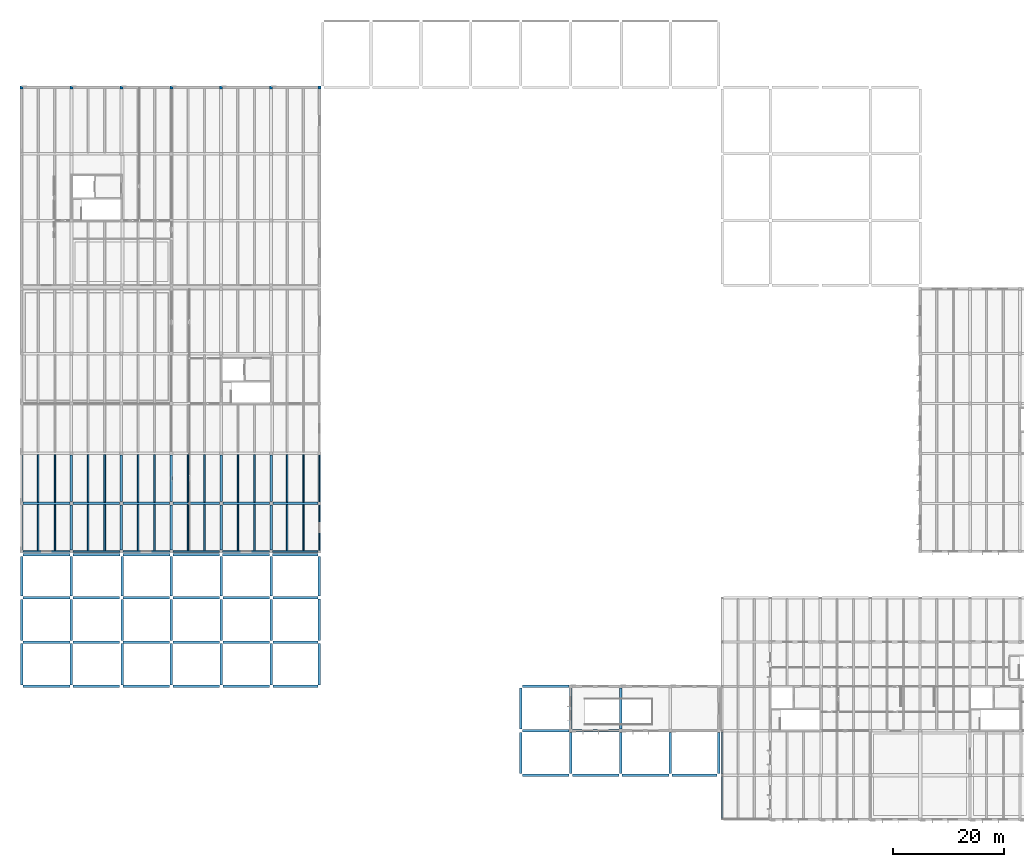
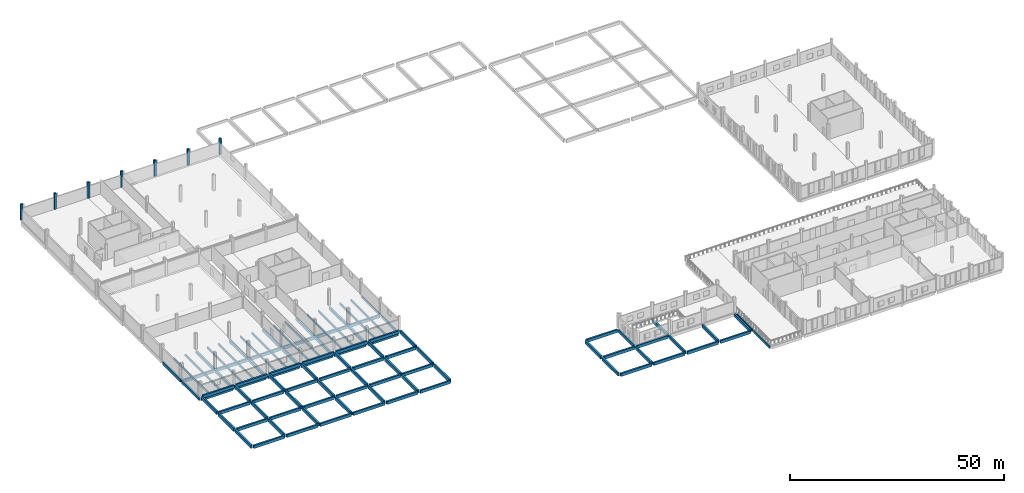
# One storey, part 3 of 25: 112 beams, 7 columns.
"""IFC4 building model written with IfcOpenShell, lengths in metres."""

from ifc_helpers import new_model, si_unit, direction, frame, origin, origin_2d, place, context, subcontext, project, spatial, rectangle, extrude, material, material_profile, profile_set, type_object, element, save


model = new_model("IFC4")

# Units and contexts
model_context = context("Model", 3, precision=1e-05, world=origin(), true_north=direction((0.0, 1.0)))
body_context = subcontext(model_context, "Body", "Model", "MODEL_VIEW")
ifc_project = project(units=[si_unit("LENGTHUNIT", "METRE"), si_unit("AREAUNIT", "SQUARE_METRE"), si_unit("VOLUMEUNIT", "CUBIC_METRE"), si_unit("PLANEANGLEUNIT", "RADIAN"), si_unit("MASSUNIT", "GRAM", prefix="KILO")], contexts=[model_context])

# Site, building, storey
site_placement = place(None, origin())
site = spatial("IfcSite", under=ifc_project, at=site_placement, CompositionType="ELEMENT")
building_placement = place(site_placement, origin())
building = spatial("IfcBuilding", under=site, at=building_placement, Name="Zacnel Wholesale Market", CompositionType="ELEMENT")
storey_placement = place(building_placement, frame((0.0, 0.0, 15.75)))
storey = spatial("IfcBuildingStorey", under=building, at=storey_placement, Name="L04", CompositionType="ELEMENT", Elevation=15.75)

# Columns
ifc_material_1 = material(Name="Precast concrete C45/55", Category="concrete")
ifc_material_profile_1 = material_profile(ifc_material_1, rectangle(XDim=0.550048828125, YDim=0.550048828125, at=origin_2d()), Name="PC 550x550")
ifc_profile_set_1 = profile_set([ifc_material_profile_1], Name="Precast concrete C45/55")
column_type = type_object("IfcColumnType", Name="COL-PC550", PredefinedType="COLUMN", material=ifc_profile_set_1)
for number, where, z_axis, x_axis, name in (
    (1, (18.0, 132.0, 0.0), (0.0, 0.0, 1.0), (1.0, 0.0, 0.0), "Precast column L04-0848"),
    (2, (27.0, 132.0, 0.0), (0.0, 0.0, 1.0), (1.0, 0.0, 0.0), "Precast column L04-0858"),
    (3, (36.0, 132.0, 0.0), (0.0, 0.0, 1.0), (1.0, 0.0, 0.0), "Precast column L04-0868"),
    (4, (45.0, 132.0, 0.0), (0.0, 0.0, 1.0), (1.0, 0.0, 0.0), "Precast column L04-0878"),
    (5, (54.0, 132.0, 0.0), (0.0, 0.0, 1.0), (1.0, 0.0, 0.0), "Precast column L04-0888"),
    (6, (63.0, 132.0, 0.0), (0.0, 0.0, 1.0), (1.0, 0.0, 0.0), "Precast column L04-0898"),
    (7, (71.699951171875, 132.0, 0.0), (0.0, 0.0, 1.0), (1.0, 0.0, 0.0), "Precast column L04-0908"),
):
    element("IfcColumn", number, at=place(storey_placement, frame(where, z_axis=z_axis, x_axis=x_axis)), inside=storey, type_object=column_type, Name=name, PredefinedType="COLUMN", context=body_context, shape_type="SweptSolid", body=[
        extrude(rectangle(XDim=0.550048828125, YDim=0.550048828125, at=origin_2d()), origin(), (0.0, 0.0, 1.0), 4.550048828125),
    ])

# Beams
ifc_material_2 = material(Name="Precast concrete C45/55", Category="concrete")
ifc_material_profile_2 = material_profile(ifc_material_2, rectangle(XDim=0.280029296875, YDim=0.60009765625, at=origin_2d()), Name="DT RIB 280x600")
ifc_profile_set_2 = profile_set([ifc_material_profile_2], Name="Precast concrete C45/55")
beam_type_1 = type_object("IfcBeamType", Name="BM-DT600", PredefinedType="JOIST", material=ifc_profile_set_2)
for number, where, z_axis, x_axis, name in (
    (8, (21.0, 48.449951171875, -0.580078125), (0.0, 1.0, 0.0), (-1.0, 0.0, 0.0), "Precast secondary joist L04-0659"),
    (9, (24.0, 48.449951171875, -0.580078125), (0.0, 1.0, 0.0), (-1.0, 0.0, 0.0), "Precast secondary joist L04-0660"),
    (10, (30.0, 48.449951171875, -0.580078125), (0.0, 1.0, 0.0), (-1.0, 0.0, 0.0), "Precast secondary joist L04-0661"),
    (11, (33.0, 48.449951171875, -0.580078125), (0.0, 1.0, 0.0), (-1.0, 0.0, 0.0), "Precast secondary joist L04-0662"),
    (12, (39.0, 48.449951171875, -0.580078125), (0.0, 1.0, 0.0), (-1.0, 0.0, 0.0), "Precast secondary joist L04-0663"),
    (13, (42.0, 48.449951171875, -0.580078125), (0.0, 1.0, 0.0), (-1.0, 0.0, 0.0), "Precast secondary joist L04-0664"),
    (14, (48.0, 48.449951171875, -0.580078125), (0.0, 1.0, 0.0), (-1.0, 0.0, 0.0), "Precast secondary joist L04-0665"),
    (15, (51.0, 48.449951171875, -0.580078125), (0.0, 1.0, 0.0), (-1.0, 0.0, 0.0), "Precast secondary joist L04-0666"),
    (16, (57.0, 48.449951171875, -0.580078125), (0.0, 1.0, 0.0), (-1.0, 0.0, 0.0), "Precast secondary joist L04-0667"),
    (17, (60.0, 48.449951171875, -0.580078125), (0.0, 1.0, 0.0), (-1.0, 0.0, 0.0), "Precast secondary joist L04-0668"),
    (18, (65.89990234375, 48.449951171875, -0.580078125), (0.0, 1.0, 0.0), (-1.0, 0.0, 0.0), "Precast secondary joist L04-0669"),
    (19, (68.800048828125, 48.449951171875, -0.580078125), (0.0, 1.0, 0.0), (-1.0, 0.0, 0.0), "Precast secondary joist L04-0670"),
):
    element("IfcBeam", number, at=place(storey_placement, frame(where, z_axis=z_axis, x_axis=x_axis)), inside=storey, type_object=beam_type_1, Name=name, PredefinedType="JOIST", context=body_context, shape_type="SweptSolid", body=[
        extrude(rectangle(XDim=0.280029296875, YDim=0.60009765625, at=origin_2d()), origin(), (0.0, 0.0, 1.0), 8.324951171875),
    ])
for number, where, z_axis, x_axis, name in (
    (20, (21.0, 57.22509765625, -0.580078125), (0.0, 1.0, 0.0), (-1.0, 0.0, 0.0), "Precast secondary joist L04-0679"),
    (21, (24.0, 57.22509765625, -0.580078125), (0.0, 1.0, 0.0), (-1.0, 0.0, 0.0), "Precast secondary joist L04-0680"),
    (22, (30.0, 57.22509765625, -0.580078125), (0.0, 1.0, 0.0), (-1.0, 0.0, 0.0), "Precast secondary joist L04-0681"),
    (23, (33.0, 57.22509765625, -0.580078125), (0.0, 1.0, 0.0), (-1.0, 0.0, 0.0), "Precast secondary joist L04-0682"),
    (24, (39.0, 57.22509765625, -0.580078125), (0.0, 1.0, 0.0), (-1.0, 0.0, 0.0), "Precast secondary joist L04-0683"),
    (25, (42.0, 57.22509765625, -0.580078125), (0.0, 1.0, 0.0), (-1.0, 0.0, 0.0), "Precast secondary joist L04-0684"),
    (26, (48.0, 57.22509765625, -0.580078125), (0.0, 1.0, 0.0), (-1.0, 0.0, 0.0), "Precast secondary joist L04-0685"),
    (27, (51.0, 57.22509765625, -0.580078125), (0.0, 1.0, 0.0), (-1.0, 0.0, 0.0), "Precast secondary joist L04-0686"),
    (28, (57.0, 57.22509765625, -0.580078125), (0.0, 1.0, 0.0), (-1.0, 0.0, 0.0), "Precast secondary joist L04-0687"),
    (29, (60.0, 57.22509765625, -0.580078125), (0.0, 1.0, 0.0), (-1.0, 0.0, 0.0), "Precast secondary joist L04-0688"),
    (30, (65.89990234375, 57.22509765625, -0.580078125), (0.0, 1.0, 0.0), (-1.0, 0.0, 0.0), "Precast secondary joist L04-0689"),
    (31, (68.800048828125, 57.22509765625, -0.580078125), (0.0, 1.0, 0.0), (-1.0, 0.0, 0.0), "Precast secondary joist L04-0690"),
):
    element("IfcBeam", number, at=place(storey_placement, frame(where, z_axis=z_axis, x_axis=x_axis)), inside=storey, type_object=beam_type_1, Name=name, PredefinedType="JOIST", context=body_context, shape_type="SweptSolid", body=[
        extrude(rectangle(XDim=0.280029296875, YDim=0.60009765625, at=origin_2d()), origin(), (0.0, 0.0, 1.0), 8.5498046875),
    ])
ifc_material_3 = material(Name="Precast concrete C45/55", Category="concrete")
ifc_material_profile_3 = material_profile(ifc_material_3, rectangle(XDim=0.449951171875, YDim=0.800048828125, at=origin_2d()), Name="PG 450x800")
ifc_profile_set_3 = profile_set([ifc_material_profile_3], Name="Precast concrete C45/55")
beam_type_2 = type_object("IfcBeamType", Name="BM-PG800", PredefinedType="BEAM", material=ifc_profile_set_3)
beam_1_placement = place(storey_placement, frame((18.0, 48.574951171875, -0.679931640625), z_axis=(0.0, 1.0, 0.0), x_axis=(-1.0, 0.0, 0.0)))
element("IfcBeam", 32, at=beam_1_placement, inside=storey, type_object=beam_type_2, Name="Precast girder Y-1178", PredefinedType="BEAM", context=body_context, shape_type="SweptSolid", body=[
    extrude(rectangle(XDim=0.449951171875, YDim=0.800048828125, at=origin_2d()), origin(), (0.0, 0.0, 1.0), 8.125),
])
beam_2_placement = place(storey_placement, frame((18.0, 57.300048828125, -0.679931640625), z_axis=(0.0, 1.0, 0.0), x_axis=(-1.0, 0.0, 0.0)))
element("IfcBeam", 33, at=beam_2_placement, inside=storey, type_object=beam_type_2, Name="Precast girder Y-1179", PredefinedType="BEAM", context=body_context, shape_type="SweptSolid", body=[
    extrude(rectangle(XDim=0.449951171875, YDim=0.800048828125, at=origin_2d()), origin(), (0.0, 0.0, 1.0), 8.39990234375),
])
beam_3_placement = place(storey_placement, frame((27.0, 48.574951171875, -0.679931640625), z_axis=(0.0, 1.0, 0.0), x_axis=(-1.0, 0.0, 0.0)))
element("IfcBeam", 34, at=beam_3_placement, inside=storey, type_object=beam_type_2, Name="Precast girder Y-1189", PredefinedType="BEAM", context=body_context, shape_type="SweptSolid", body=[
    extrude(rectangle(XDim=0.449951171875, YDim=0.800048828125, at=origin_2d()), origin(), (0.0, 0.0, 1.0), 8.125),
])
beam_4_placement = place(storey_placement, frame((27.0, 57.300048828125, -0.679931640625), z_axis=(0.0, 1.0, 0.0), x_axis=(-1.0, 0.0, 0.0)))
element("IfcBeam", 35, at=beam_4_placement, inside=storey, type_object=beam_type_2, Name="Precast girder Y-1190", PredefinedType="BEAM", context=body_context, shape_type="SweptSolid", body=[
    extrude(rectangle(XDim=0.449951171875, YDim=0.800048828125, at=origin_2d()), origin(), (0.0, 0.0, 1.0), 8.39990234375),
])
beam_5_placement = place(storey_placement, frame((36.0, 48.574951171875, -0.679931640625), z_axis=(0.0, 1.0, 0.0), x_axis=(-1.0, 0.0, 0.0)))
element("IfcBeam", 36, at=beam_5_placement, inside=storey, type_object=beam_type_2, Name="Precast girder Y-1200", PredefinedType="BEAM", context=body_context, shape_type="SweptSolid", body=[
    extrude(rectangle(XDim=0.449951171875, YDim=0.800048828125, at=origin_2d()), origin(), (0.0, 0.0, 1.0), 8.125),
])
beam_6_placement = place(storey_placement, frame((36.0, 57.300048828125, -0.679931640625), z_axis=(0.0, 1.0, 0.0), x_axis=(-1.0, 0.0, 0.0)))
element("IfcBeam", 37, at=beam_6_placement, inside=storey, type_object=beam_type_2, Name="Precast girder Y-1201", PredefinedType="BEAM", context=body_context, shape_type="SweptSolid", body=[
    extrude(rectangle(XDim=0.449951171875, YDim=0.800048828125, at=origin_2d()), origin(), (0.0, 0.0, 1.0), 8.39990234375),
])
beam_7_placement = place(storey_placement, frame((45.0, 48.574951171875, -0.679931640625), z_axis=(0.0, 1.0, 0.0), x_axis=(-1.0, 0.0, 0.0)))
element("IfcBeam", 38, at=beam_7_placement, inside=storey, type_object=beam_type_2, Name="Precast girder Y-1211", PredefinedType="BEAM", context=body_context, shape_type="SweptSolid", body=[
    extrude(rectangle(XDim=0.449951171875, YDim=0.800048828125, at=origin_2d()), origin(), (0.0, 0.0, 1.0), 8.125),
])
beam_8_placement = place(storey_placement, frame((45.0, 57.300048828125, -0.679931640625), z_axis=(0.0, 1.0, 0.0), x_axis=(-1.0, 0.0, 0.0)))
element("IfcBeam", 39, at=beam_8_placement, inside=storey, type_object=beam_type_2, Name="Precast girder Y-1212", PredefinedType="BEAM", context=body_context, shape_type="SweptSolid", body=[
    extrude(rectangle(XDim=0.449951171875, YDim=0.800048828125, at=origin_2d()), origin(), (0.0, 0.0, 1.0), 8.39990234375),
])
beam_9_placement = place(storey_placement, frame((54.0, 48.574951171875, -0.679931640625), z_axis=(0.0, 1.0, 0.0), x_axis=(-1.0, 0.0, 0.0)))
element("IfcBeam", 40, at=beam_9_placement, inside=storey, type_object=beam_type_2, Name="Precast girder Y-1222", PredefinedType="BEAM", context=body_context, shape_type="SweptSolid", body=[
    extrude(rectangle(XDim=0.449951171875, YDim=0.800048828125, at=origin_2d()), origin(), (0.0, 0.0, 1.0), 8.125),
])
beam_10_placement = place(storey_placement, frame((54.0, 57.300048828125, -0.679931640625), z_axis=(0.0, 1.0, 0.0), x_axis=(-1.0, 0.0, 0.0)))
element("IfcBeam", 41, at=beam_10_placement, inside=storey, type_object=beam_type_2, Name="Precast girder Y-1223", PredefinedType="BEAM", context=body_context, shape_type="SweptSolid", body=[
    extrude(rectangle(XDim=0.449951171875, YDim=0.800048828125, at=origin_2d()), origin(), (0.0, 0.0, 1.0), 8.39990234375),
])
beam_11_placement = place(storey_placement, frame((63.0, 48.574951171875, -0.679931640625), z_axis=(0.0, 1.0, 0.0), x_axis=(-1.0, 0.0, 0.0)))
element("IfcBeam", 42, at=beam_11_placement, inside=storey, type_object=beam_type_2, Name="Precast girder Y-1233", PredefinedType="BEAM", context=body_context, shape_type="SweptSolid", body=[
    extrude(rectangle(XDim=0.449951171875, YDim=0.800048828125, at=origin_2d()), origin(), (0.0, 0.0, 1.0), 8.125),
])
beam_12_placement = place(storey_placement, frame((63.0, 57.300048828125, -0.679931640625), z_axis=(0.0, 1.0, 0.0), x_axis=(-1.0, 0.0, 0.0)))
element("IfcBeam", 43, at=beam_12_placement, inside=storey, type_object=beam_type_2, Name="Precast girder Y-1234", PredefinedType="BEAM", context=body_context, shape_type="SweptSolid", body=[
    extrude(rectangle(XDim=0.449951171875, YDim=0.800048828125, at=origin_2d()), origin(), (0.0, 0.0, 1.0), 8.39990234375),
])
ifc_material_4 = material(Name="Precast concrete C45/55", Category="concrete")
ifc_material_profile_4 = material_profile(ifc_material_4, rectangle(XDim=0.449951171875, YDim=0.85009765625, at=origin_2d()), Name="PG 450x850")
ifc_profile_set_4 = profile_set([ifc_material_profile_4], Name="Precast concrete C45/55")
beam_type_3 = type_object("IfcBeamType", Name="BM-PG850", PredefinedType="BEAM", material=ifc_profile_set_4)
for number, where, z_axis, x_axis, name in (
    (44, (18.300048828125, 24.0, 0.4951171875), (1.0, 0.0, 0.0), (0.0, 1.0, 0.0), "Precast girder X-1030"),
    (45, (27.300048828125, 24.0, 0.4951171875), (1.0, 0.0, 0.0), (0.0, 1.0, 0.0), "Precast girder X-1031"),
    (46, (36.300048828125, 24.0, 0.4951171875), (1.0, 0.0, 0.0), (0.0, 1.0, 0.0), "Precast girder X-1032"),
    (47, (45.300048828125, 24.0, 0.4951171875), (1.0, 0.0, 0.0), (0.0, 1.0, 0.0), "Precast girder X-1033"),
    (48, (54.300048828125, 24.0, 0.4951171875), (1.0, 0.0, 0.0), (0.0, 1.0, 0.0), "Precast girder X-1034"),
):
    element("IfcBeam", number, at=place(storey_placement, frame(where, z_axis=z_axis, x_axis=x_axis)), inside=storey, type_object=beam_type_3, Name=name, PredefinedType="BEAM", context=body_context, shape_type="SweptSolid", body=[
        extrude(rectangle(XDim=0.449951171875, YDim=0.85009765625, at=origin_2d()), origin(), (0.0, 0.0, 1.0), 8.39990234375),
    ])
beam_13_placement = place(storey_placement, frame((63.300048828125, 24.0, 0.4951171875), z_axis=(1.0, 0.0, 0.0), x_axis=(0.0, 1.0, 0.0)))
element("IfcBeam", 49, at=beam_13_placement, inside=storey, type_object=beam_type_3, Name="Precast girder X-1035", PredefinedType="BEAM", context=body_context, shape_type="SweptSolid", body=[
    extrude(rectangle(XDim=0.449951171875, YDim=0.85009765625, at=origin_2d()), origin(), (0.0, 0.0, 1.0), 8.125),
])
for number, where, z_axis, x_axis, name in (
    (50, (18.300048828125, 32.0, 0.4951171875), (1.0, 0.0, 0.0), (0.0, 1.0, 0.0), "Precast girder X-1043"),
    (51, (27.300048828125, 32.0, 0.4951171875), (1.0, 0.0, 0.0), (0.0, 1.0, 0.0), "Precast girder X-1044"),
    (52, (36.300048828125, 32.0, 0.4951171875), (1.0, 0.0, 0.0), (0.0, 1.0, 0.0), "Precast girder X-1045"),
    (53, (45.300048828125, 32.0, 0.4951171875), (1.0, 0.0, 0.0), (0.0, 1.0, 0.0), "Precast girder X-1046"),
    (54, (54.300048828125, 32.0, 0.4951171875), (1.0, 0.0, 0.0), (0.0, 1.0, 0.0), "Precast girder X-1047"),
):
    element("IfcBeam", number, at=place(storey_placement, frame(where, z_axis=z_axis, x_axis=x_axis)), inside=storey, type_object=beam_type_3, Name=name, PredefinedType="BEAM", context=body_context, shape_type="SweptSolid", body=[
        extrude(rectangle(XDim=0.449951171875, YDim=0.85009765625, at=origin_2d()), origin(), (0.0, 0.0, 1.0), 8.39990234375),
    ])
beam_14_placement = place(storey_placement, frame((63.300048828125, 32.0, 0.4951171875), z_axis=(1.0, 0.0, 0.0), x_axis=(0.0, 1.0, 0.0)))
element("IfcBeam", 55, at=beam_14_placement, inside=storey, type_object=beam_type_3, Name="Precast girder X-1048", PredefinedType="BEAM", context=body_context, shape_type="SweptSolid", body=[
    extrude(rectangle(XDim=0.449951171875, YDim=0.85009765625, at=origin_2d()), origin(), (0.0, 0.0, 1.0), 8.125),
])
for number, where, z_axis, x_axis, name in (
    (56, (18.300048828125, 40.0, 0.4951171875), (1.0, 0.0, 0.0), (0.0, 1.0, 0.0), "Precast girder X-1056"),
    (57, (27.300048828125, 40.0, 0.4951171875), (1.0, 0.0, 0.0), (0.0, 1.0, 0.0), "Precast girder X-1057"),
    (58, (36.300048828125, 40.0, 0.4951171875), (1.0, 0.0, 0.0), (0.0, 1.0, 0.0), "Precast girder X-1058"),
    (59, (45.300048828125, 40.0, 0.4951171875), (1.0, 0.0, 0.0), (0.0, 1.0, 0.0), "Precast girder X-1059"),
    (60, (54.300048828125, 40.0, 0.4951171875), (1.0, 0.0, 0.0), (0.0, 1.0, 0.0), "Precast girder X-1060"),
):
    element("IfcBeam", number, at=place(storey_placement, frame(where, z_axis=z_axis, x_axis=x_axis)), inside=storey, type_object=beam_type_3, Name=name, PredefinedType="BEAM", context=body_context, shape_type="SweptSolid", body=[
        extrude(rectangle(XDim=0.449951171875, YDim=0.85009765625, at=origin_2d()), origin(), (0.0, 0.0, 1.0), 8.39990234375),
    ])
beam_15_placement = place(storey_placement, frame((63.300048828125, 40.0, 0.4951171875), z_axis=(1.0, 0.0, 0.0), x_axis=(0.0, 1.0, 0.0)))
element("IfcBeam", 61, at=beam_15_placement, inside=storey, type_object=beam_type_3, Name="Precast girder X-1061", PredefinedType="BEAM", context=body_context, shape_type="SweptSolid", body=[
    extrude(rectangle(XDim=0.449951171875, YDim=0.85009765625, at=origin_2d()), origin(), (0.0, 0.0, 1.0), 8.125),
])
for number, where, z_axis, x_axis, name in (
    (62, (18.27490234375, 47.699951171875, 0.4951171875), (1.0, 0.0, 0.0), (0.0, 1.0, 0.0), "Precast girder X-1069"),
    (63, (27.27490234375, 47.699951171875, 0.4951171875), (1.0, 0.0, 0.0), (0.0, 1.0, 0.0), "Precast girder X-1070"),
    (64, (36.27490234375, 47.699951171875, 0.4951171875), (1.0, 0.0, 0.0), (0.0, 1.0, 0.0), "Precast girder X-1071"),
    (65, (45.27490234375, 47.699951171875, 0.4951171875), (1.0, 0.0, 0.0), (0.0, 1.0, 0.0), "Precast girder X-1072"),
    (66, (54.27490234375, 47.699951171875, 0.4951171875), (1.0, 0.0, 0.0), (0.0, 1.0, 0.0), "Precast girder X-1073"),
):
    element("IfcBeam", number, at=place(storey_placement, frame(where, z_axis=z_axis, x_axis=x_axis)), inside=storey, type_object=beam_type_3, Name=name, PredefinedType="BEAM", context=body_context, shape_type="SweptSolid", body=[
        extrude(rectangle(XDim=0.449951171875, YDim=0.85009765625, at=origin_2d()), origin(), (0.0, 0.0, 1.0), 8.4501953125),
    ])
beam_16_placement = place(storey_placement, frame((63.27490234375, 47.699951171875, 0.4951171875), z_axis=(1.0, 0.0, 0.0), x_axis=(0.0, 1.0, 0.0)))
element("IfcBeam", 67, at=beam_16_placement, inside=storey, type_object=beam_type_3, Name="Precast girder X-1074", PredefinedType="BEAM", context=body_context, shape_type="SweptSolid", body=[
    extrude(rectangle(XDim=0.449951171875, YDim=0.85009765625, at=origin_2d()), origin(), (0.0, 0.0, 1.0), 8.150146484375),
])
for number, where, z_axis, x_axis, name in (
    (68, (18.300048828125, 57.0, -0.705078125), (1.0, 0.0, 0.0), (0.0, 1.0, 0.0), "Precast girder X-1085"),
    (69, (27.300048828125, 57.0, -0.705078125), (1.0, 0.0, 0.0), (0.0, 1.0, 0.0), "Precast girder X-1086"),
    (70, (36.300048828125, 57.0, -0.705078125), (1.0, 0.0, 0.0), (0.0, 1.0, 0.0), "Precast girder X-1087"),
    (71, (45.300048828125, 57.0, -0.705078125), (1.0, 0.0, 0.0), (0.0, 1.0, 0.0), "Precast girder X-1088"),
    (72, (54.300048828125, 57.0, -0.705078125), (1.0, 0.0, 0.0), (0.0, 1.0, 0.0), "Precast girder X-1089"),
):
    element("IfcBeam", number, at=place(storey_placement, frame(where, z_axis=z_axis, x_axis=x_axis)), inside=storey, type_object=beam_type_3, Name=name, PredefinedType="BEAM", context=body_context, shape_type="SweptSolid", body=[
        extrude(rectangle(XDim=0.449951171875, YDim=0.85009765625, at=origin_2d()), origin(), (0.0, 0.0, 1.0), 8.39990234375),
    ])
beam_17_placement = place(storey_placement, frame((63.300048828125, 57.0, -0.705078125), z_axis=(1.0, 0.0, 0.0), x_axis=(0.0, 1.0, 0.0)))
element("IfcBeam", 73, at=beam_17_placement, inside=storey, type_object=beam_type_3, Name="Precast girder X-1090", PredefinedType="BEAM", context=body_context, shape_type="SweptSolid", body=[
    extrude(rectangle(XDim=0.449951171875, YDim=0.85009765625, at=origin_2d()), origin(), (0.0, 0.0, 1.0), 8.125),
])
for number, where, z_axis, x_axis, name in (
    (74, (108.300048828125, 8.0, -0.72509765625), (1.0, 0.0, 0.0), (0.0, 1.0, 0.0), "Precast wing girder X V4EL3-001"),
    (75, (117.300048828125, 8.0, -0.72509765625), (1.0, 0.0, 0.0), (0.0, 1.0, 0.0), "Precast wing girder X V4EL3-002"),
    (76, (126.300048828125, 8.0, -0.72509765625), (1.0, 0.0, 0.0), (0.0, 1.0, 0.0), "Precast wing girder X V4EL3-003"),
):
    element("IfcBeam", number, at=place(storey_placement, frame(where, z_axis=z_axis, x_axis=x_axis)), inside=storey, type_object=beam_type_3, Name=name, PredefinedType="BEAM", context=body_context, shape_type="SweptSolid", body=[
        extrude(rectangle(XDim=0.449951171875, YDim=0.85009765625, at=origin_2d()), origin(), (0.0, 0.0, 1.0), 8.39990234375),
    ])
beam_18_placement = place(storey_placement, frame((135.300048828125, 8.0, -0.72509765625), z_axis=(1.0, 0.0, 0.0), x_axis=(0.0, 1.0, 0.0)))
element("IfcBeam", 77, at=beam_18_placement, inside=storey, type_object=beam_type_3, Name="Precast wing girder X V4EL3-004", PredefinedType="BEAM", context=body_context, shape_type="SweptSolid", body=[
    extrude(rectangle(XDim=0.449951171875, YDim=0.85009765625, at=origin_2d()), origin(), (0.0, 0.0, 1.0), 8.099853515625),
])
for number, where, z_axis, x_axis, name in (
    (78, (108.300048828125, 16.0, -0.72509765625), (1.0, 0.0, 0.0), (0.0, 1.0, 0.0), "Precast wing girder X V4EL3-005"),
    (79, (117.300048828125, 16.0, -0.72509765625), (1.0, 0.0, 0.0), (0.0, 1.0, 0.0), "Precast wing girder X V4EL3-006"),
    (80, (108.300048828125, 24.0, -0.72509765625), (1.0, 0.0, 0.0), (0.0, 1.0, 0.0), "Precast wing girder X V4EL3-009"),
):
    element("IfcBeam", number, at=place(storey_placement, frame(where, z_axis=z_axis, x_axis=x_axis)), inside=storey, type_object=beam_type_3, Name=name, PredefinedType="BEAM", context=body_context, shape_type="SweptSolid", body=[
        extrude(rectangle(XDim=0.449951171875, YDim=0.85009765625, at=origin_2d()), origin(), (0.0, 0.0, 1.0), 8.39990234375),
    ])
for number, where, z_axis, x_axis, name in (
    (81, (108.0, 8.300048828125, -0.72509765625), (0.0, 1.0, 0.0), (-1.0, 0.0, 0.0), "Precast wing girder Y V4EL3-013"),
    (82, (108.0, 16.300048828125, -0.72509765625), (0.0, 1.0, 0.0), (-1.0, 0.0, 0.0), "Precast wing girder Y V4EL3-014"),
    (83, (117.0, 8.300048828125, -0.72509765625), (0.0, 1.0, 0.0), (-1.0, 0.0, 0.0), "Precast wing girder Y V4EL3-015"),
    (84, (117.0, 16.300048828125, -0.72509765625), (0.0, 1.0, 0.0), (-1.0, 0.0, 0.0), "Precast wing girder Y V4EL3-016"),
    (85, (126.0, 8.300048828125, -0.72509765625), (0.0, 1.0, 0.0), (-1.0, 0.0, 0.0), "Precast wing girder Y V4EL3-017"),
    (86, (126.0, 16.300048828125, -0.72509765625), (0.0, 1.0, 0.0), (-1.0, 0.0, 0.0), "Precast wing girder Y V4EL3-018"),
    (87, (135.0, 8.300048828125, -0.72509765625), (0.0, 1.0, 0.0), (-1.0, 0.0, 0.0), "Precast wing girder Y V4EL3-019"),
    (88, (143.699951171875, 8.300048828125, -0.72509765625), (0.0, 1.0, 0.0), (-1.0, 0.0, 0.0), "Precast wing girder Y V4EL3-021"),
):
    element("IfcBeam", number, at=place(storey_placement, frame(where, z_axis=z_axis, x_axis=x_axis)), inside=storey, type_object=beam_type_3, Name=name, PredefinedType="BEAM", context=body_context, shape_type="SweptSolid", body=[
        extrude(rectangle(XDim=0.449951171875, YDim=0.85009765625, at=origin_2d()), origin(), (0.0, 0.0, 1.0), 7.39990234375),
    ])
ifc_material_5 = material(Name="Precast concrete C45/55", Category="concrete")
ifc_material_profile_5 = material_profile(ifc_material_5, rectangle(XDim=0.449951171875, YDim=0.949951171875, at=origin_2d()), Name="PG 450x950")
ifc_profile_set_5 = profile_set([ifc_material_profile_5], Name="Precast concrete C45/55")
beam_type_4 = type_object("IfcBeamType", Name="BM-PG950", PredefinedType="BEAM", material=ifc_profile_set_5)
for number, where, z_axis, x_axis, name in (
    (89, (18.0, 24.300048828125, 0.445068359375), (0.0, 1.0, 0.0), (-1.0, 0.0, 0.0), "Precast girder Y-1175"),
    (90, (18.0, 32.300048828125, 0.445068359375), (0.0, 1.0, 0.0), (-1.0, 0.0, 0.0), "Precast girder Y-1176"),
):
    element("IfcBeam", number, at=place(storey_placement, frame(where, z_axis=z_axis, x_axis=x_axis)), inside=storey, type_object=beam_type_4, Name=name, PredefinedType="BEAM", context=body_context, shape_type="SweptSolid", body=[
        extrude(rectangle(XDim=0.449951171875, YDim=0.949951171875, at=origin_2d()), origin(), (0.0, 0.0, 1.0), 7.39990234375),
    ])
beam_19_placement = place(storey_placement, frame((18.0, 40.300048828125, 0.445068359375), z_axis=(0.0, 1.0, 0.0), x_axis=(-1.0, 0.0, 0.0)))
element("IfcBeam", 91, at=beam_19_placement, inside=storey, type_object=beam_type_4, Name="Precast girder Y-1177", PredefinedType="BEAM", context=body_context, shape_type="SweptSolid", body=[
    extrude(rectangle(XDim=0.449951171875, YDim=0.949951171875, at=origin_2d()), origin(), (0.0, 0.0, 1.0), 7.125),
])
for number, where, z_axis, x_axis, name in (
    (92, (27.0, 24.300048828125, 0.445068359375), (0.0, 1.0, 0.0), (-1.0, 0.0, 0.0), "Precast girder Y-1186"),
    (93, (27.0, 32.300048828125, 0.445068359375), (0.0, 1.0, 0.0), (-1.0, 0.0, 0.0), "Precast girder Y-1187"),
):
    element("IfcBeam", number, at=place(storey_placement, frame(where, z_axis=z_axis, x_axis=x_axis)), inside=storey, type_object=beam_type_4, Name=name, PredefinedType="BEAM", context=body_context, shape_type="SweptSolid", body=[
        extrude(rectangle(XDim=0.449951171875, YDim=0.949951171875, at=origin_2d()), origin(), (0.0, 0.0, 1.0), 7.39990234375),
    ])
beam_20_placement = place(storey_placement, frame((27.0, 40.300048828125, 0.445068359375), z_axis=(0.0, 1.0, 0.0), x_axis=(-1.0, 0.0, 0.0)))
element("IfcBeam", 94, at=beam_20_placement, inside=storey, type_object=beam_type_4, Name="Precast girder Y-1188", PredefinedType="BEAM", context=body_context, shape_type="SweptSolid", body=[
    extrude(rectangle(XDim=0.449951171875, YDim=0.949951171875, at=origin_2d()), origin(), (0.0, 0.0, 1.0), 7.125),
])
for number, where, z_axis, x_axis, name in (
    (95, (36.179931640625, 24.300048828125, 0.445068359375), (0.0, 1.0, 0.0), (-1.0, 0.0, 0.0), "Precast girder Y-1197"),
    (96, (36.179931640625, 32.300048828125, 0.445068359375), (0.0, 1.0, 0.0), (-1.0, 0.0, 0.0), "Precast girder Y-1198"),
):
    element("IfcBeam", number, at=place(storey_placement, frame(where, z_axis=z_axis, x_axis=x_axis)), inside=storey, type_object=beam_type_4, Name=name, PredefinedType="BEAM", context=body_context, shape_type="SweptSolid", body=[
        extrude(rectangle(XDim=0.449951171875, YDim=0.949951171875, at=origin_2d()), origin(), (0.0, 0.0, 1.0), 7.39990234375),
    ])
beam_21_placement = place(storey_placement, frame((36.179931640625, 40.300048828125, 0.445068359375), z_axis=(0.0, 1.0, 0.0), x_axis=(-1.0, 0.0, 0.0)))
element("IfcBeam", 97, at=beam_21_placement, inside=storey, type_object=beam_type_4, Name="Precast girder Y-1199", PredefinedType="BEAM", context=body_context, shape_type="SweptSolid", body=[
    extrude(rectangle(XDim=0.449951171875, YDim=0.949951171875, at=origin_2d()), origin(), (0.0, 0.0, 1.0), 7.125),
])
for number, where, z_axis, x_axis, name in (
    (98, (45.0, 24.300048828125, 0.445068359375), (0.0, 1.0, 0.0), (-1.0, 0.0, 0.0), "Precast girder Y-1208"),
    (99, (45.0, 32.300048828125, 0.445068359375), (0.0, 1.0, 0.0), (-1.0, 0.0, 0.0), "Precast girder Y-1209"),
):
    element("IfcBeam", number, at=place(storey_placement, frame(where, z_axis=z_axis, x_axis=x_axis)), inside=storey, type_object=beam_type_4, Name=name, PredefinedType="BEAM", context=body_context, shape_type="SweptSolid", body=[
        extrude(rectangle(XDim=0.449951171875, YDim=0.949951171875, at=origin_2d()), origin(), (0.0, 0.0, 1.0), 7.39990234375),
    ])
beam_22_placement = place(storey_placement, frame((45.0, 40.300048828125, 0.445068359375), z_axis=(0.0, 1.0, 0.0), x_axis=(-1.0, 0.0, 0.0)))
element("IfcBeam", 100, at=beam_22_placement, inside=storey, type_object=beam_type_4, Name="Precast girder Y-1210", PredefinedType="BEAM", context=body_context, shape_type="SweptSolid", body=[
    extrude(rectangle(XDim=0.449951171875, YDim=0.949951171875, at=origin_2d()), origin(), (0.0, 0.0, 1.0), 7.125),
])
for number, where, z_axis, x_axis, name in (
    (101, (54.0, 24.300048828125, 0.445068359375), (0.0, 1.0, 0.0), (-1.0, 0.0, 0.0), "Precast girder Y-1219"),
    (102, (54.0, 32.300048828125, 0.445068359375), (0.0, 1.0, 0.0), (-1.0, 0.0, 0.0), "Precast girder Y-1220"),
):
    element("IfcBeam", number, at=place(storey_placement, frame(where, z_axis=z_axis, x_axis=x_axis)), inside=storey, type_object=beam_type_4, Name=name, PredefinedType="BEAM", context=body_context, shape_type="SweptSolid", body=[
        extrude(rectangle(XDim=0.449951171875, YDim=0.949951171875, at=origin_2d()), origin(), (0.0, 0.0, 1.0), 7.39990234375),
    ])
beam_23_placement = place(storey_placement, frame((54.0, 40.300048828125, 0.445068359375), z_axis=(0.0, 1.0, 0.0), x_axis=(-1.0, 0.0, 0.0)))
element("IfcBeam", 103, at=beam_23_placement, inside=storey, type_object=beam_type_4, Name="Precast girder Y-1221", PredefinedType="BEAM", context=body_context, shape_type="SweptSolid", body=[
    extrude(rectangle(XDim=0.449951171875, YDim=0.949951171875, at=origin_2d()), origin(), (0.0, 0.0, 1.0), 7.125),
])
for number, where, z_axis, x_axis, name in (
    (104, (63.0, 24.300048828125, 0.445068359375), (0.0, 1.0, 0.0), (-1.0, 0.0, 0.0), "Precast girder Y-1230"),
    (105, (63.0, 32.300048828125, 0.445068359375), (0.0, 1.0, 0.0), (-1.0, 0.0, 0.0), "Precast girder Y-1231"),
):
    element("IfcBeam", number, at=place(storey_placement, frame(where, z_axis=z_axis, x_axis=x_axis)), inside=storey, type_object=beam_type_4, Name=name, PredefinedType="BEAM", context=body_context, shape_type="SweptSolid", body=[
        extrude(rectangle(XDim=0.449951171875, YDim=0.949951171875, at=origin_2d()), origin(), (0.0, 0.0, 1.0), 7.39990234375),
    ])
beam_24_placement = place(storey_placement, frame((63.0, 40.300048828125, 0.445068359375), z_axis=(0.0, 1.0, 0.0), x_axis=(-1.0, 0.0, 0.0)))
element("IfcBeam", 106, at=beam_24_placement, inside=storey, type_object=beam_type_4, Name="Precast girder Y-1232", PredefinedType="BEAM", context=body_context, shape_type="SweptSolid", body=[
    extrude(rectangle(XDim=0.449951171875, YDim=0.949951171875, at=origin_2d()), origin(), (0.0, 0.0, 1.0), 7.125),
])
for number, where, z_axis, x_axis, name in (
    (107, (71.699951171875, 24.27490234375, 0.445068359375), (0.0, 1.0, 0.0), (-1.0, 0.0, 0.0), "Precast girder Y-1241"),
    (108, (71.699951171875, 32.27490234375, 0.445068359375), (0.0, 1.0, 0.0), (-1.0, 0.0, 0.0), "Precast girder Y-1242"),
):
    element("IfcBeam", number, at=place(storey_placement, frame(where, z_axis=z_axis, x_axis=x_axis)), inside=storey, type_object=beam_type_4, Name=name, PredefinedType="BEAM", context=body_context, shape_type="SweptSolid", body=[
        extrude(rectangle(XDim=0.449951171875, YDim=0.949951171875, at=origin_2d()), origin(), (0.0, 0.0, 1.0), 7.4501953125),
    ])
beam_25_placement = place(storey_placement, frame((71.699951171875, 40.27490234375, 0.445068359375), z_axis=(0.0, 1.0, 0.0), x_axis=(-1.0, 0.0, 0.0)))
element("IfcBeam", 109, at=beam_25_placement, inside=storey, type_object=beam_type_4, Name="Precast girder Y-1243", PredefinedType="BEAM", context=body_context, shape_type="SweptSolid", body=[
    extrude(rectangle(XDim=0.449951171875, YDim=0.949951171875, at=origin_2d()), origin(), (0.0, 0.0, 1.0), 7.150146484375),
])
ifc_material_6 = material(Name="Precast concrete C45/55", Category="concrete")
ifc_material_profile_6 = material_profile(ifc_material_6, rectangle(XDim=0.280029296875, YDim=0.679931640625, at=origin_2d()), Name="SP 280x680")
ifc_profile_set_6 = profile_set([ifc_material_profile_6], Name="Precast concrete C45/55")
beam_type_5 = type_object("IfcBeamType", Name="BM-SP680", PredefinedType="SPANDREL", material=ifc_profile_set_6)
beam_26_placement = place(storey_placement, frame((71.699951171875, 48.574951171875, -0.6201171875), z_axis=(0.0, 1.0, 0.0), x_axis=(-1.0, 0.0, 0.0)))
element("IfcBeam", 110, at=beam_26_placement, inside=storey, type_object=beam_type_5, Name="Precast girder Y-1244", PredefinedType="SPANDREL", context=body_context, shape_type="SweptSolid", body=[
    extrude(rectangle(XDim=0.280029296875, YDim=0.679931640625, at=origin_2d()), origin(), (0.0, 0.0, 1.0), 8.150146484375),
])
beam_27_placement = place(storey_placement, frame((71.699951171875, 57.27490234375, -0.6201171875), z_axis=(0.0, 1.0, 0.0), x_axis=(-1.0, 0.0, 0.0)))
element("IfcBeam", 111, at=beam_27_placement, inside=storey, type_object=beam_type_5, Name="Precast girder Y-1245", PredefinedType="SPANDREL", context=body_context, shape_type="SweptSolid", body=[
    extrude(rectangle(XDim=0.280029296875, YDim=0.679931640625, at=origin_2d()), origin(), (0.0, 0.0, 1.0), 8.4501953125),
])
for number, where, z_axis, x_axis, name in (
    (112, (144.300048828125, 0.27490234375, -0.760009765625), (0.0, 1.0, 0.0), (-1.0, 0.0, 0.0), "Precast girder Y-1261"),
    (113, (144.300048828125, 8.27490234375, -0.760009765625), (0.0, 1.0, 0.0), (-1.0, 0.0, 0.0), "Precast girder Y-1262"),
):
    element("IfcBeam", number, at=place(storey_placement, frame(where, z_axis=z_axis, x_axis=x_axis)), inside=storey, type_object=beam_type_5, Name=name, PredefinedType="SPANDREL", context=body_context, shape_type="SweptSolid", body=[
        extrude(rectangle(XDim=0.280029296875, YDim=0.679931640625, at=origin_2d()), origin(), (0.0, 0.0, 1.0), 7.4501953125),
    ])
ifc_material_7 = material(Name="Precast concrete C45/55", Category="concrete")
ifc_material_profile_7 = material_profile(ifc_material_7, rectangle(XDim=0.300048828125, YDim=0.75, at=origin_2d()), Name="SP 300x750")
ifc_profile_set_7 = profile_set([ifc_material_profile_7], Name="Precast concrete C45/55")
beam_type_6 = type_object("IfcBeamType", Name="BM-SP750", PredefinedType="SPANDREL", material=ifc_profile_set_7)
for number, where, z_axis, x_axis, name in (
    (114, (18.27490234375, 48.300048828125, -0.655029296875), (1.0, 0.0, 0.0), (0.0, 1.0, 0.0), "Precast girder X-1075"),
    (115, (27.27490234375, 48.300048828125, -0.655029296875), (1.0, 0.0, 0.0), (0.0, 1.0, 0.0), "Precast girder X-1076"),
    (116, (36.27490234375, 48.300048828125, -0.655029296875), (1.0, 0.0, 0.0), (0.0, 1.0, 0.0), "Precast girder X-1077"),
    (117, (45.27490234375, 48.300048828125, -0.655029296875), (1.0, 0.0, 0.0), (0.0, 1.0, 0.0), "Precast girder X-1078"),
    (118, (54.27490234375, 48.300048828125, -0.655029296875), (1.0, 0.0, 0.0), (0.0, 1.0, 0.0), "Precast girder X-1079"),
):
    element("IfcBeam", number, at=place(storey_placement, frame(where, z_axis=z_axis, x_axis=x_axis)), inside=storey, type_object=beam_type_6, Name=name, PredefinedType="SPANDREL", context=body_context, shape_type="SweptSolid", body=[
        extrude(rectangle(XDim=0.300048828125, YDim=0.75, at=origin_2d()), origin(), (0.0, 0.0, 1.0), 8.4501953125),
    ])
beam_28_placement = place(storey_placement, frame((63.27490234375, 48.300048828125, -0.655029296875), z_axis=(1.0, 0.0, 0.0), x_axis=(0.0, 1.0, 0.0)))
element("IfcBeam", 119, at=beam_28_placement, inside=storey, type_object=beam_type_6, Name="Precast girder X-1080", PredefinedType="SPANDREL", context=body_context, shape_type="SweptSolid", body=[
    extrude(rectangle(XDim=0.300048828125, YDim=0.75, at=origin_2d()), origin(), (0.0, 0.0, 1.0), 8.150146484375),
])

save(model, "model.ifc")
